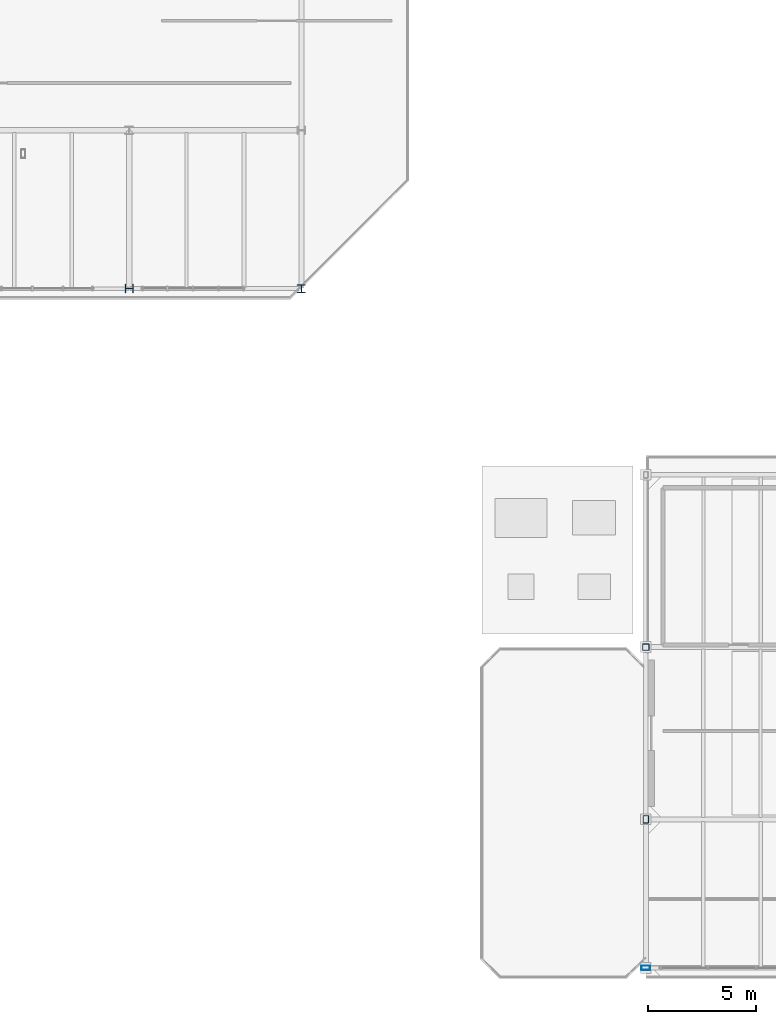
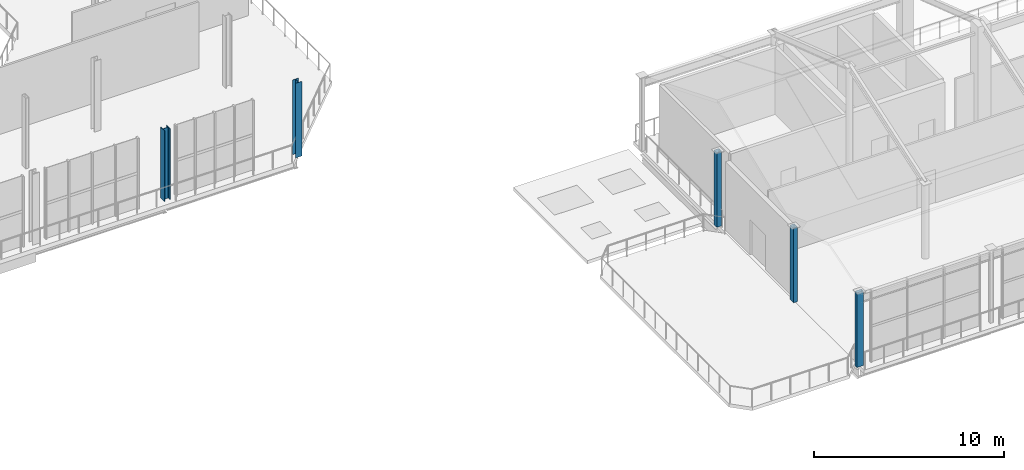
# One storey, part 5 of 51: 5 columns.
"""IFC4 building model written with IfcOpenShell, lengths in metres."""

import ifcopenshell
import ifcopenshell.guid

model = None  # the IFC model being written
_history = None  # IfcOwnerHistory: only IFC2X3 demands one
_inside = {}  # id of a spatial element -> (the spatial element, [elements in it])
_under = {}  # id of a project, library or spatial element -> (it, [spatial elements below it])
_declared = {}  # id of a project -> (the project, [libraries it declares])
_typed = {}  # id of a type object -> (the type object, [elements of that type])
_made_of = {}  # id of a material, layer set ... -> (it, [elements and type objects made of it])


def new_model(schema):
    """Start an empty IFC model of exactly this schema.

    Asked for "IFC4X3", IfcOpenShell would pick the latest addendum, in which some entities
    have other attributes; the version numbers below select the first issue.
    IFC2X3 requires an IfcOwnerHistory on every rooted entity: one is made here for all.
    """
    global model, _history
    if schema == "IFC4X3":
        model = ifcopenshell.file(schema_version=(4, 3, 0, 0))
    else:
        model = ifcopenshell.file(schema=schema)
    _inside.clear()
    _under.clear()
    _declared.clear()
    _typed.clear()
    _made_of.clear()
    _history = None
    if model.schema == "IFC2X3":
        org = make("IfcOrganization", Name="unknown")
        user = make(
            "IfcPersonAndOrganization",
            ThePerson=make("IfcPerson", FamilyName="unknown"),
            TheOrganization=org,
        )
        app = make(
            "IfcApplication",
            ApplicationDeveloper=org,
            Version="unknown",
            ApplicationFullName="unknown",
            ApplicationIdentifier="unknown",
        )
        _history = make(
            "IfcOwnerHistory",
            OwningUser=user,
            OwningApplication=app,
            ChangeAction="ADDED",
            CreationDate=0,
        )
    return model


def make(cls, **values):
    """One entity of the class cls with the attributes given. An attribute that is None is left unset."""
    return model.create_entity(
        cls, **{name: value for name, value in values.items() if value is not None}
    )


def rooted(cls, **values):
    """An entity with a GlobalId (a new one), such as an element, a storey or a relation."""
    return make(cls, GlobalId=ifcopenshell.guid.new(), OwnerHistory=_history, **values)


def si_unit(unit_type, name, prefix=None):
    """IfcSIUnit, for example si_unit("LENGTHUNIT", "METRE", prefix="MILLI")."""
    return make("IfcSIUnit", UnitType=unit_type, Prefix=prefix, Name=name)


def assignment(units):
    """IfcUnitAssignment: the units of a project."""
    return None if units is None else make("IfcUnitAssignment", Units=units)


def point(xyz):
    """IfcCartesianPoint."""
    return None if xyz is None else make("IfcCartesianPoint", Coordinates=xyz)


def direction(xyz):
    """IfcDirection."""
    return None if xyz is None else make("IfcDirection", DirectionRatios=xyz)


def frame(location, z_axis=None, x_axis=None):
    """IfcAxis2Placement3D, a coordinate frame: its origin and axes. An axis left out is left unset."""
    return make(
        "IfcAxis2Placement3D",
        Location=point(location),
        Axis=direction(z_axis),
        RefDirection=direction(x_axis),
    )


def frame_2d(location, x_axis=None):
    """IfcAxis2Placement2D, a coordinate frame in the plane: its origin and x axis."""
    return make(
        "IfcAxis2Placement2D", Location=point(location), RefDirection=direction(x_axis)
    )


def origin():
    """The frame at (0, 0, 0) with its axes left unset."""
    return frame((0.0, 0.0, 0.0))


def origin_2d():
    """The frame at (0, 0) in the plane with its x axis left unset."""
    return frame_2d((0.0, 0.0))


def place(relative_to, where):
    """IfcLocalPlacement: puts the frame where relative to a parent placement (None: the world)."""
    return make(
        "IfcLocalPlacement", PlacementRelTo=relative_to, RelativePlacement=where
    )


def context(
    kind, dimensions, precision=None, world=None, true_north=None, identifier=None
):
    """IfcGeometricRepresentationContext, for example the 3D "Model" context."""
    return make(
        "IfcGeometricRepresentationContext",
        ContextIdentifier=identifier,
        ContextType=kind,
        CoordinateSpaceDimension=dimensions,
        Precision=precision,
        WorldCoordinateSystem=world,
        TrueNorth=true_north,
    )


def subcontext(parent, identifier, kind, view, scale=None):
    """IfcGeometricRepresentationSubContext, for example "Body" below "Model"."""
    return make(
        "IfcGeometricRepresentationSubContext",
        ContextIdentifier=identifier,
        ContextType=kind,
        ParentContext=parent,
        TargetScale=scale,
        TargetView=view,
    )


def project(units=None, contexts=None):
    """IfcProject with its units and contexts."""
    return rooted(
        "IfcProject",
        Name="project",
        RepresentationContexts=contexts,
        UnitsInContext=assignment(units),
    )


def spatial(cls, under=None, at=None, **own):
    """A site, building, storey or space (cls), placed at a placement, below another one or the project."""
    s = rooted(cls, ObjectPlacement=at, **own)
    if under is not None:
        _under.setdefault(under.id(), (under, []))[1].append(s)
    return s


def profile(cls, at=None, kind="AREA", **sizes):
    """A parametric profile (cls). Its sizes go by their IFC names, for example OverallWidth=200.0."""
    return make(cls, ProfileType=kind, Position=at, **sizes)


def hollow_rectangle(**sizes):
    """IfcRectangleHollowProfileDef."""
    return profile("IfcRectangleHollowProfileDef", **sizes)


def i_section(**sizes):
    """IfcIShapeProfileDef."""
    return profile("IfcIShapeProfileDef", **sizes)


def extrude(swept, where, along, depth):
    """IfcExtrudedAreaSolid: the profile swept, set in the frame where, extruded along a direction by depth."""
    return make(
        "IfcExtrudedAreaSolid",
        SweptArea=swept,
        Position=where,
        ExtrudedDirection=direction(along),
        Depth=depth,
    )


def shape(context_of_items, identifier, shape_type, items):
    """IfcShapeRepresentation: the items that make up one representation, for example the "Body"."""
    return make(
        "IfcShapeRepresentation",
        ContextOfItems=context_of_items,
        RepresentationIdentifier=identifier,
        RepresentationType=shape_type,
        Items=items,
    )


def material(Name=None, Category=None):
    """IfcMaterial."""
    return make("IfcMaterial", Name=Name, Category=Category)


def material_profile(
    of_material, cross_section, Name=None, Category=None, Priority=None
):
    """IfcMaterialProfile: a cross section and its material."""
    return make(
        "IfcMaterialProfile",
        Name=Name,
        Material=of_material,
        Profile=cross_section,
        Priority=Priority,
        Category=Category,
    )


def profile_set(profiles, Name=None, composite=None):
    """IfcMaterialProfileSet."""
    return make(
        "IfcMaterialProfileSet",
        Name=Name,
        MaterialProfiles=profiles,
        CompositeProfile=composite,
    )


def made_of(thing, what):
    """Note that an element or type object is made of a material, layer set ...; save() writes the relation."""
    if what is not None:
        _made_of.setdefault(what.id(), (what, []))[1].append(thing)
    return thing


def type_object(cls, material=None, **own):
    """A type object (cls), such as IfcWallType, which elements share."""
    return made_of(rooted(cls, **own), material)


def element(
    cls,
    number,
    at=None,
    inside=None,
    cuts=None,
    type_object=None,
    material=None,
    context=None,
    identifier="Body",
    shape_type=None,
    held_by="IfcProductDefinitionShape",
    body=None,
    shapes=None,
    **own,
):
    """One element of the class cls, such as IfcWall. Its Tag is "e" and its number.

    at: its placement. inside: the storey or other place that contains it. cuts: it is an
    opening in that element (IfcRelVoidsElement). A single representation is given by context,
    identifier, shape_type and body (its items); several are given by shapes. held_by: the class
    of the entity that holds the representations. save() writes the other relations.
    """
    e = rooted(cls, Tag="e%d" % number, ObjectPlacement=at, **own)
    if body is not None:
        shapes = [shape(context, identifier, shape_type, body)]
    if shapes is not None:
        e.Representation = make(held_by, Representations=shapes)
    if inside is not None:
        _inside.setdefault(inside.id(), (inside, []))[1].append(e)
    if cuts is not None:
        rooted(
            "IfcRelVoidsElement", RelatingBuildingElement=cuts, RelatedOpeningElement=e
        )
    if type_object is not None:
        _typed.setdefault(type_object.id(), (type_object, []))[1].append(e)
    return made_of(e, material)


def aggregate(whole, parts):
    """IfcRelAggregates: a whole, such as a stair, and the parts it consists of."""
    return rooted("IfcRelAggregates", RelatingObject=whole, RelatedObjects=parts)


def save(model, path):
    """Write the relations noted so far, then the file.

    IfcRelAggregates (storeys below a building ...), IfcRelContainedInSpatialStructure (elements
    in a storey), IfcRelDefinesByType, IfcRelAssociatesMaterial and IfcRelDeclares: one each for
    every whole, place, type object, material and project.
    """
    for whole, parts in _under.values():
        aggregate(whole, parts)
    for where, things in _inside.values():
        rooted(
            "IfcRelContainedInSpatialStructure",
            RelatedElements=things,
            RelatingStructure=where,
        )
    for kind, things in _typed.values():
        rooted("IfcRelDefinesByType", RelatedObjects=things, RelatingType=kind)
    for what, things in _made_of.values():
        rooted("IfcRelAssociatesMaterial", RelatedObjects=things, RelatingMaterial=what)
    for by, libraries in _declared.values():
        rooted("IfcRelDeclares", RelatingContext=by, RelatedDefinitions=libraries)
    model.write(path)


model = new_model("IFC4")

# Units and contexts
model_context = context("Model", 3, precision=1e-05, world=origin(), true_north=direction((0.0, 1.0)))
body_context = subcontext(model_context, "Body", "Model", "MODEL_VIEW")
ifc_project = project(units=[si_unit("LENGTHUNIT", "METRE"), si_unit("AREAUNIT", "SQUARE_METRE"), si_unit("VOLUMEUNIT", "CUBIC_METRE"), si_unit("PLANEANGLEUNIT", "RADIAN"), si_unit("MASSUNIT", "GRAM", prefix="KILO")], contexts=[model_context])

# Site, building, storey
site_placement = place(None, origin())
site = spatial("IfcSite", under=ifc_project, at=site_placement, CompositionType="ELEMENT")
building_placement = place(site_placement, origin())
building = spatial("IfcBuilding", under=site, at=building_placement, Name="Brisemont Oceanarium", CompositionType="ELEMENT")
storey_placement = place(building_placement, frame((0.0, 0.0, 15.0)))
storey = spatial("IfcBuildingStorey", under=building, at=storey_placement, Name="L03", CompositionType="ELEMENT", Elevation=15.0)

# Columns
ifc_material_1 = material(Name="Structural Steel ASTM A500 Gr.C", Category="steel")
ifc_material_profile_1 = material_profile(ifc_material_1, hollow_rectangle(XDim=0.304931640625, YDim=0.304931640625, WallThickness=0.01171875, InnerFilletRadius=0.01220703125, OuterFilletRadius=0.02392578125, at=origin_2d()), Name="HSS12X12X1/2")
ifc_profile_set_1 = profile_set([ifc_material_profile_1], Name="Structural Steel ASTM A500 Gr.C")
column_type_1 = type_object("IfcColumnType", Name="COL-HSS12X12", PredefinedType="COLUMN", material=ifc_profile_set_1)
column_1_placement = place(storey_placement, frame((120.0, 16.0, 0.0), z_axis=(0.0, 0.0, 1.0), x_axis=(0.0, 1.0, 0.0)))
element("IfcColumn", 1, at=column_1_placement, inside=storey, type_object=column_type_1, Name="V3 L03 column (1,2)", PredefinedType="COLUMN", context=body_context, shape_type="SweptSolid", body=[
    extrude(hollow_rectangle(XDim=0.304931640625, YDim=0.304931640625, WallThickness=0.01171875, InnerFilletRadius=0.01220703125, OuterFilletRadius=0.02392578125, at=origin_2d()), origin(), (0.0, 0.0, 1.0), 4.800048828125),
])
ifc_material_2 = material(Name="Structural Steel ASTM A500 Gr.C", Category="steel")
ifc_material_profile_2 = material_profile(ifc_material_2, hollow_rectangle(XDim=0.25390625, YDim=0.35595703125, WallThickness=0.01171875, InnerFilletRadius=0.01220703125, OuterFilletRadius=0.02392578125, at=origin_2d()), Name="HSS14X10X1/2")
ifc_profile_set_2 = profile_set([ifc_material_profile_2], Name="Structural Steel ASTM A500 Gr.C")
column_type_2 = type_object("IfcColumnType", Name="COL-HSS14X10", PredefinedType="COLUMN", material=ifc_profile_set_2)
column_2_placement = place(storey_placement, frame((120.0, 8.0, 0.0), z_axis=(0.0, 0.0, 1.0), x_axis=(1.0, 0.0, 0.0)))
element("IfcColumn", 2, at=column_2_placement, inside=storey, type_object=column_type_2, Name="V3 L03 column (1,1)", PredefinedType="COLUMN", context=body_context, shape_type="SweptSolid", body=[
    extrude(hollow_rectangle(XDim=0.25390625, YDim=0.35595703125, WallThickness=0.01171875, InnerFilletRadius=0.01220703125, OuterFilletRadius=0.02392578125, at=origin_2d()), origin(), (0.0, 0.0, 1.0), 4.800048828125),
])
ifc_material_3 = material(Name="Structural Steel ASTM A500 Gr.C", Category="steel")
ifc_material_profile_3 = material_profile(ifc_material_3, hollow_rectangle(XDim=0.202880859375, YDim=0.406005859375, WallThickness=0.01171875, InnerFilletRadius=0.01220703125, OuterFilletRadius=0.02392578125, at=origin_2d()), Name="HSS16X8X1/2")
ifc_profile_set_3 = profile_set([ifc_material_profile_3], Name="Structural Steel ASTM A500 Gr.C")
column_type_3 = type_object("IfcColumnType", Name="COL-HSS16X8", PredefinedType="COLUMN", material=ifc_profile_set_3)
column_3_placement = place(storey_placement, frame((120.0, 1.10009765625, 0.0), z_axis=(0.0, 0.0, 1.0), x_axis=(0.0, 1.0, 0.0)))
element("IfcColumn", 3, at=column_3_placement, inside=storey, type_object=column_type_3, Name="V3 L03 column (1,0)", PredefinedType="COLUMN", context=body_context, shape_type="SweptSolid", body=[
    extrude(hollow_rectangle(XDim=0.202880859375, YDim=0.406005859375, WallThickness=0.01171875, InnerFilletRadius=0.01220703125, OuterFilletRadius=0.02392578125, at=origin_2d()), origin(), (0.0, 0.0, 1.0), 4.800048828125),
])
ifc_material_4 = material(Name="Structural Steel ASTM A992 Gr.50", Category="steel")
ifc_material_profile_4 = material_profile(ifc_material_4, i_section(OverallWidth=0.37109375, OverallDepth=0.364013671875, WebThickness=0.01318359375, FlangeThickness=0.021728515625, FilletRadius=0.014892578125, at=origin_2d()), Name="W14X109")
ifc_profile_set_4 = profile_set([ifc_material_profile_4], Name="Structural Steel ASTM A992 Gr.50")
column_type_4 = type_object("IfcColumnType", Name="COL-W14X109", PredefinedType="COLUMN", material=ifc_profile_set_4)
column_4_placement = place(storey_placement, frame((104.0, 32.64990234375, 0.0), z_axis=(0.0, 0.0, 1.0), x_axis=(1.0, 0.0, 0.0)))
element("IfcColumn", 4, at=column_4_placement, inside=storey, type_object=column_type_4, Name="V1 L03 column (6,0)", PredefinedType="COLUMN", context=body_context, shape_type="SweptSolid", body=[
    extrude(i_section(OverallWidth=0.37109375, OverallDepth=0.364013671875, WebThickness=0.01318359375, FlangeThickness=0.021728515625, FilletRadius=0.014892578125, at=origin_2d()), origin(), (0.0, 0.0, 1.0), 4.800048828125),
])
ifc_material_5 = material(Name="Structural Steel ASTM A992 Gr.50", Category="steel")
ifc_material_profile_5 = material_profile(ifc_material_5, i_section(OverallWidth=0.39501953125, OverallDepth=0.3798828125, WebThickness=0.018798828125, FlangeThickness=0.0302734375, FilletRadius=0.014892578125, at=origin_2d()), Name="W14X159")
ifc_profile_set_5 = profile_set([ifc_material_profile_5], Name="Structural Steel ASTM A992 Gr.50")
column_type_5 = type_object("IfcColumnType", Name="COL-W14X159", PredefinedType="COLUMN", material=ifc_profile_set_5)
column_5_placement = place(storey_placement, frame((96.0, 32.64990234375, 0.0), z_axis=(0.0, 0.0, 1.0), x_axis=(0.0, 1.0, 0.0)))
element("IfcColumn", 5, at=column_5_placement, inside=storey, type_object=column_type_5, Name="V1 L03 column (5,0)", PredefinedType="COLUMN", context=body_context, shape_type="SweptSolid", body=[
    extrude(i_section(OverallWidth=0.39501953125, OverallDepth=0.3798828125, WebThickness=0.018798828125, FlangeThickness=0.0302734375, FilletRadius=0.014892578125, at=origin_2d()), origin(), (0.0, 0.0, 1.0), 4.56005859375),
])

save(model, "model.ifc")
